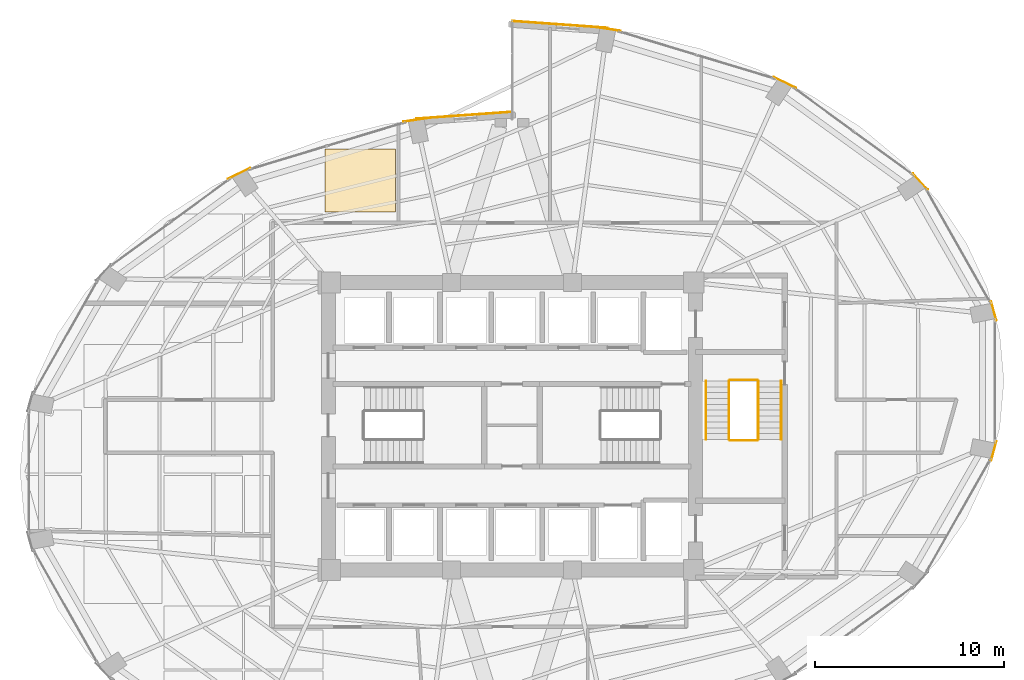
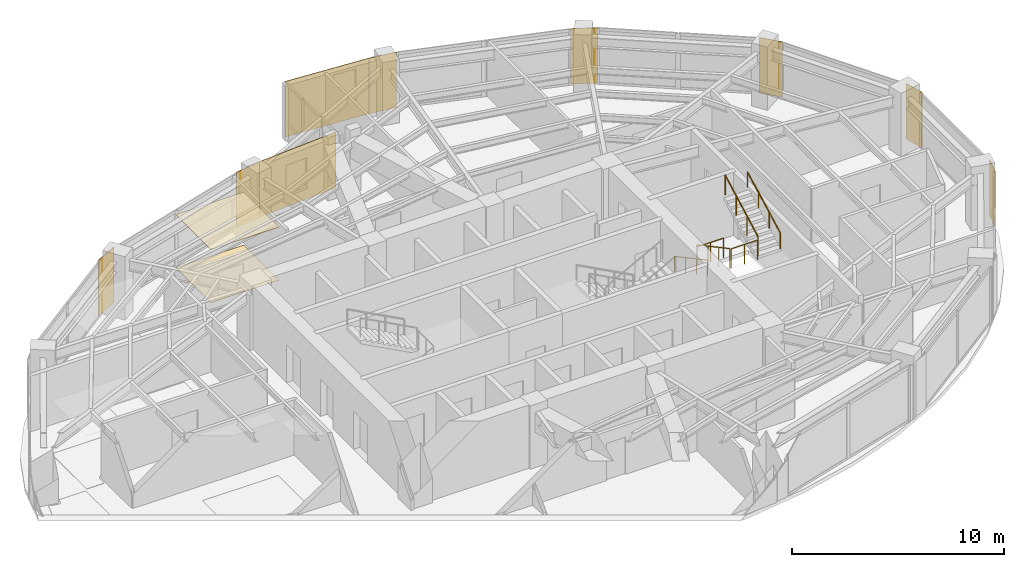
# One storey, part 24 of 24: 11 coverings, 6 railings.
"""IFC4 building model written with IfcOpenShell, lengths in metres."""

from ifc_helpers import new_model, si_unit, direction, frame, origin, origin_2d, place, context, subcontext, project, spatial, polyline, rectangle, circle, outline, extrude, material, layer, layer_set, type_object, element, save


model = new_model("IFC4")

# Units and contexts
model_context = context("Model", 3, precision=1e-05, world=origin(), true_north=direction((0.0, 1.0)))
body_context = subcontext(model_context, "Body", "Model", "MODEL_VIEW")
ifc_project = project(units=[si_unit("LENGTHUNIT", "METRE"), si_unit("AREAUNIT", "SQUARE_METRE"), si_unit("VOLUMEUNIT", "CUBIC_METRE"), si_unit("PLANEANGLEUNIT", "RADIAN"), si_unit("MASSUNIT", "GRAM", prefix="KILO")], contexts=[model_context])

# Site, building, storey
site_placement = place(None, origin())
site = spatial("IfcSite", under=ifc_project, at=site_placement, CompositionType="ELEMENT")
building_placement = place(site_placement, origin())
building = spatial("IfcBuilding", under=site, at=building_placement, Name="Lazwardi Medical Tower", CompositionType="ELEMENT")
storey_placement = place(building_placement, frame((0.0, 0.0, 129.16796875)))
storey = spatial("IfcBuildingStorey", under=building, at=storey_placement, Name="L33", CompositionType="ELEMENT", Elevation=129.16796875)

# Coverings
ifc_material_1 = material(Name="Anodised bronze aluminium cassette cladding", Category="aluminium")
ifc_layer_1 = layer(ifc_material_1, 0.030029296875)
ifc_layer_set_1 = layer_set([ifc_layer_1], Name="Anodised bronze aluminium cassette cladding")
covering_type_1 = type_object("IfcCoveringType", Name="COV-CLD-BRZ", PredefinedType="CLADDING", material=ifc_layer_set_1)
for number, where, z_axis, x_axis, name in (
    (1, (61.459716796875, 26.700927734375, 0.0), (0.0, 0.0, 1.0), (0.262696108164, 0.964878621774, 0.0), "L33 Mega-column bronze cassette cover M04"),
    (2, (61.459716796875, 34.09912109375, 0.0), (0.0, 0.0, 1.0), (-0.262696108164, 0.964878621774, 0.0), "L33 Mega-column bronze cassette cover M05"),
):
    element("IfcCovering", number, at=place(storey_placement, frame(where, z_axis=z_axis, x_axis=x_axis)), inside=storey, type_object=covering_type_1, Name=name, PredefinedType="CLADDING", context=body_context, shape_type="SweptSolid", body=[
        extrude(rectangle(XDim=1.04296875, YDim=0.030029296875, at=origin_2d()), origin(), (0.0, 0.0, 1.0), 3.197998046875),
    ])
covering_1_placement = place(storey_placement, frame((57.583740234375, 40.93408203125, 0.0), z_axis=(0.0, 0.0, 1.0), x_axis=(-0.674925949214, 0.737885467453, 0.0)))
element("IfcCovering", 3, at=covering_1_placement, inside=storey, type_object=covering_type_1, Name="L33 Mega-column bronze cassette cover M06", PredefinedType="CLADDING", context=body_context, shape_type="SweptSolid", body=[
    extrude(rectangle(XDim=1.15625, YDim=0.030029296875, at=origin_2d()), origin(), (0.0, 0.0, 1.0), 3.197998046875),
])
covering_2_placement = place(storey_placement, frame((50.421875, 46.16552734375, 0.0), z_axis=(0.0, 0.0, 1.0), x_axis=(-0.898679250201, 0.438606435495, 0.0)))
element("IfcCovering", 4, at=covering_2_placement, inside=storey, type_object=covering_type_1, Name="L33 Mega-column bronze cassette cover M07", PredefinedType="CLADDING", context=body_context, shape_type="SweptSolid", body=[
    extrude(rectangle(XDim=1.2998046875, YDim=0.030029296875, at=origin_2d()), origin(), (0.0, 0.0, 1.0), 3.197998046875),
])
for number, where, z_axis, x_axis, name in (
    (5, (41.064208984375, 48.99658203125, 0.0), (0.0, 0.0, 1.0), (-0.989609019093, 0.143784523955, 0.0), "L33 Mega-column bronze cassette cover M08"),
    (6, (30.935791015625, 44.19677734375, 0.0), (0.0, 0.0, 1.0), (-0.989609019093, -0.143784523955, 0.0), "L33 Mega-column bronze cassette cover M09"),
):
    element("IfcCovering", number, at=place(storey_placement, frame(where, z_axis=z_axis, x_axis=x_axis)), inside=storey, type_object=covering_type_1, Name=name, PredefinedType="CLADDING", context=body_context, shape_type="SweptSolid", body=[
        extrude(rectangle(XDim=1.392333984375, YDim=0.030029296875, at=origin_2d()), origin(), (0.0, 0.0, 1.0), 3.197998046875),
    ])
covering_3_placement = place(storey_placement, frame((21.578125, 41.365478515625, 0.0), z_axis=(0.0, 0.0, 1.0), x_axis=(-0.898679250201, -0.438606435495, 0.0)))
element("IfcCovering", 7, at=covering_3_placement, inside=storey, type_object=covering_type_1, Name="L33 Mega-column bronze cassette cover M10", PredefinedType="CLADDING", context=body_context, shape_type="SweptSolid", body=[
    extrude(rectangle(XDim=1.2998046875, YDim=0.030029296875, at=origin_2d()), origin(), (0.0, 0.0, 1.0), 3.197998046875),
])
ifc_material_2 = material(Name="Turquoise glazed ceramic tilework cladding", Category="masonry")
ifc_layer_2 = layer(ifc_material_2, 0.034912109375)
ifc_layer_set_2 = layer_set([ifc_layer_2], Name="Turquoise glazed ceramic tilework cladding")
covering_type_2 = type_object("IfcCoveringType", Name="COV-CLD-TRQ", PredefinedType="CLADDING", material=ifc_layer_set_2)
covering_4_placement = place(storey_placement, frame((38.533203125, 49.23388671875, 0.0), z_axis=(0.0, 0.0, 1.0), x_axis=(-0.997431665415, 0.07162452672, 0.0)))
element("IfcCovering", 8, at=covering_4_placement, inside=storey, type_object=covering_type_2, Name="L33 Turquoise glazed ceramic tilework cladding", PredefinedType="CLADDING", context=body_context, shape_type="SweptSolid", body=[
    extrude(rectangle(XDim=5.05419921875, YDim=0.034912109375, at=origin_2d()), origin(), (0.0, 0.0, 1.0), 3.197998046875),
])
covering_5_placement = place(storey_placement, frame((33.466552734375, 44.43408203125, 0.0), z_axis=(0.0, 0.0, 1.0), x_axis=(-0.997431165357, -0.071631490105, 0.0)))
element("IfcCovering", 9, at=covering_5_placement, inside=storey, type_object=covering_type_2, Name="L33 Turquoise glazed ceramic tilework cladding", PredefinedType="CLADDING", context=body_context, shape_type="SweptSolid", body=[
    extrude(rectangle(XDim=5.0537109375, YDim=0.034912109375, at=origin_2d()), origin(), (0.0, 0.0, 1.0), 3.197998046875),
])
ifc_material_3 = material(Name="Acoustic mineral fibre tile")
ifc_layer_3 = layer(ifc_material_3, 0.02490234375)
ifc_layer_set_3 = layer_set([ifc_layer_3], Name="Acoustic mineral fibre tile")
covering_type_3 = type_object("IfcCoveringType", Name="COV-CLG-01", PredefinedType="CEILING", material=ifc_layer_set_3)
covering_6_placement = place(storey_placement, frame((0.0, 0.0, 3.052978515625)))
element("IfcCovering", 10, at=covering_6_placement, inside=storey, type_object=covering_type_3, Name="L33 Clinical Acoustic Ceiling 10", PredefinedType="CEILING", context=body_context, shape_type="SweptSolid", body=[
    extrude(outline(polyline([(29.8349609375, 39.33251953125), (29.8349609375, 42.662353515625), (26.122802734375, 42.662353515625), (26.122802734375, 39.33251953125), (29.8349609375, 39.33251953125)])), origin(), (0.0, 0.0, 1.0), 0.025146484375),
])
ifc_material_4 = material(Name="Anti-static hospital vinyl sheet flooring")
ifc_layer_4 = layer(ifc_material_4, 0.014892578125)
ifc_layer_set_4 = layer_set([ifc_layer_4], Name="Anti-static hospital vinyl sheet flooring")
covering_type_4 = type_object("IfcCoveringType", Name="COV-FLR-01", PredefinedType="FLOORING", material=ifc_layer_set_4)
covering_7_placement = place(storey_placement, origin())
element("IfcCovering", 11, at=covering_7_placement, inside=storey, type_object=covering_type_4, Name="L33 Clinical Vinyl Flooring 10", PredefinedType="FLOORING", context=body_context, shape_type="SweptSolid", body=[
    extrude(outline(polyline([(29.8349609375, 39.33251953125), (29.8349609375, 42.662353515625), (26.122802734375, 42.662353515625), (26.122802734375, 39.33251953125), (29.8349609375, 39.33251953125)])), origin(), (0.0, 0.0, 1.0), 0.01513671875),
])

# Railings
ifc_material_5 = material(Name="Stainless steel Grade 316", Category="steel")
railing_type_1 = type_object("IfcRailingType", Name="RLG-GRD-1150", PredefinedType="GUARDRAIL", material=ifc_material_5)
railing_1_placement = place(storey_placement, frame((47.469970703125, 30.39990234375, 0.165771484375)))
element("IfcRailing", 12, at=railing_1_placement, inside=storey, type_object=railing_type_1, Name="L33 ST3 stair guard 1", PredefinedType="GUARDRAIL", context=body_context, shape_type="SweptSolid", body=[
    extrude(circle(Radius=0.02392578125, at=origin_2d()), frame((0.0, 0.0, 1.1259765625), z_axis=(0.0, -0.881767849116, 0.471683644262), x_axis=(1.0, 0.0, 0.0)), (0.0, 0.0, 1.0), 3.515380859375),
    extrude(circle(Radius=0.02099609375, at=origin_2d()), origin(), (0.0, 0.0, 1.0), 1.099853515625),
    extrude(circle(Radius=0.02099609375, at=origin_2d()), frame((0.0, -1.033203125, 0.552734375)), (0.0, 0.0, 1.0), 1.099853515625),
    extrude(circle(Radius=0.02099609375, at=origin_2d()), frame((0.0, -2.066650390625, 1.10546875)), (0.0, 0.0, 1.0), 1.099853515625),
    extrude(circle(Radius=0.02099609375, at=origin_2d()), frame((0.0, -3.099853515625, 1.658203125)), (0.0, 0.0, 1.0), 1.099853515625),
])
railing_2_placement = place(storey_placement, frame((47.52001953125, 27.25, 1.823974609375)))
element("IfcRailing", 13, at=railing_2_placement, inside=storey, type_object=railing_type_1, Name="L33 ST3 stair guard 2", PredefinedType="GUARDRAIL", context=body_context, shape_type="SweptSolid", body=[
    extrude(circle(Radius=0.02392578125, at=origin_2d()), frame((0.0, 0.0, 1.1259765625), z_axis=(1.0, 0.0, 0.0), x_axis=(0.0, 1.0, 0.0)), (0.0, 0.0, 1.0), 1.43994140625),
    extrude(circle(Radius=0.02099609375, at=origin_2d()), origin(), (0.0, 0.0, 1.0), 1.099853515625),
    extrude(circle(Radius=0.02099609375, at=origin_2d()), frame((0.719970703125, 0.0, 0.0)), (0.0, 0.0, 1.0), 1.099853515625),
    extrude(circle(Radius=0.02099609375, at=origin_2d()), frame((1.43994140625, 0.0, 0.0)), (0.0, 0.0, 1.0), 1.099853515625),
])
railing_3_placement = place(storey_placement, frame((49.010009765625, 27.300048828125, 1.98974609375)))
element("IfcRailing", 14, at=railing_3_placement, inside=storey, type_object=railing_type_1, Name="L33 ST3 stair guard 3", PredefinedType="GUARDRAIL", context=body_context, shape_type="SweptSolid", body=[
    extrude(circle(Radius=0.02392578125, at=origin_2d()), frame((0.0, 0.0, 1.1259765625), z_axis=(0.0, 0.881767849116, 0.471683644262), x_axis=(-1.0, 0.0, 0.0)), (0.0, 0.0, 1.0), 3.515380859375),
    extrude(circle(Radius=0.02099609375, at=origin_2d()), origin(), (0.0, 0.0, 1.0), 1.099853515625),
    extrude(circle(Radius=0.02099609375, at=origin_2d()), frame((0.0, 1.033203125, 0.552734375)), (0.0, 0.0, 1.0), 1.099853515625),
    extrude(circle(Radius=0.02099609375, at=origin_2d()), frame((0.0, 2.066650390625, 1.10546875)), (0.0, 0.0, 1.0), 1.099853515625),
    extrude(circle(Radius=0.02099609375, at=origin_2d()), frame((0.0, 3.099853515625, 1.658203125)), (0.0, 0.0, 1.0), 1.099853515625),
])
railing_4_placement = place(storey_placement, frame((47.52001953125, 30.449951171875, 0.0)))
element("IfcRailing", 15, at=railing_4_placement, inside=storey, type_object=railing_type_1, Name="L33 ST3 stair guard 4", PredefinedType="GUARDRAIL", context=body_context, shape_type="SweptSolid", body=[
    extrude(circle(Radius=0.02392578125, at=origin_2d()), frame((0.0, 0.0, 1.1259765625), z_axis=(1.0, 0.0, 0.0), x_axis=(0.0, 1.0, 0.0)), (0.0, 0.0, 1.0), 1.43994140625),
    extrude(circle(Radius=0.02099609375, at=origin_2d()), origin(), (0.0, 0.0, 1.0), 1.099853515625),
    extrude(circle(Radius=0.02099609375, at=origin_2d()), frame((0.719970703125, 0.0, 0.0)), (0.0, 0.0, 1.0), 1.099853515625),
    extrude(circle(Radius=0.02099609375, at=origin_2d()), frame((1.43994140625, 0.0, 0.0)), (0.0, 0.0, 1.0), 1.099853515625),
])
railing_type_2 = type_object("IfcRailingType", Name="RLG-HND-920", PredefinedType="HANDRAIL", material=ifc_material_5)
railing_5_placement = place(storey_placement, frame((46.25, 30.39990234375, 0.165771484375)))
element("IfcRailing", 16, at=railing_5_placement, inside=storey, type_object=railing_type_2, Name="L33 ST3 stair handrail 1", PredefinedType="HANDRAIL", context=body_context, shape_type="SweptSolid", body=[
    extrude(circle(Radius=0.02392578125, at=origin_2d()), frame((0.0, 0.0, 0.8857421875), z_axis=(0.0, -0.881767849116, 0.471683644262), x_axis=(1.0, 0.0, 0.0)), (0.0, 0.0, 1.0), 3.515380859375),
    extrude(circle(Radius=0.02099609375, at=origin_2d()), origin(), (0.0, 0.0, 1.0), 0.85986328125),
    extrude(circle(Radius=0.02099609375, at=origin_2d()), frame((0.0, -1.033203125, 0.552734375)), (0.0, 0.0, 1.0), 0.85986328125),
    extrude(circle(Radius=0.02099609375, at=origin_2d()), frame((0.0, -2.066650390625, 1.10546875)), (0.0, 0.0, 1.0), 0.85986328125),
    extrude(circle(Radius=0.02099609375, at=origin_2d()), frame((0.0, -3.099853515625, 1.658203125)), (0.0, 0.0, 1.0), 0.85986328125),
])
railing_6_placement = place(storey_placement, frame((50.22998046875, 27.300048828125, 1.98974609375)))
element("IfcRailing", 17, at=railing_6_placement, inside=storey, type_object=railing_type_2, Name="L33 ST3 stair handrail 2", PredefinedType="HANDRAIL", context=body_context, shape_type="SweptSolid", body=[
    extrude(circle(Radius=0.02392578125, at=origin_2d()), frame((0.0, 0.0, 0.8857421875), z_axis=(0.0, 0.881767849116, 0.471683644262), x_axis=(-1.0, 0.0, 0.0)), (0.0, 0.0, 1.0), 3.515380859375),
    extrude(circle(Radius=0.02099609375, at=origin_2d()), origin(), (0.0, 0.0, 1.0), 0.85986328125),
    extrude(circle(Radius=0.02099609375, at=origin_2d()), frame((0.0, 1.033203125, 0.552734375)), (0.0, 0.0, 1.0), 0.85986328125),
    extrude(circle(Radius=0.02099609375, at=origin_2d()), frame((0.0, 2.066650390625, 1.10546875)), (0.0, 0.0, 1.0), 0.85986328125),
    extrude(circle(Radius=0.02099609375, at=origin_2d()), frame((0.0, 3.099853515625, 1.658203125)), (0.0, 0.0, 1.0), 0.85986328125),
])

save(model, "model.ifc")
